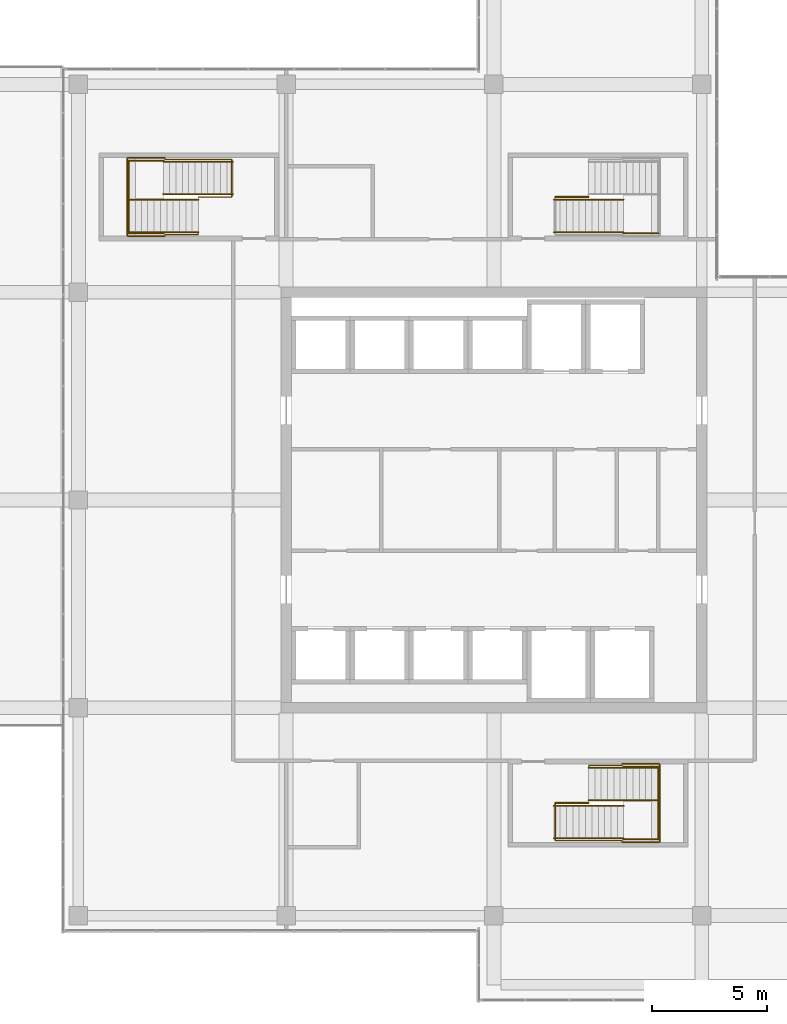
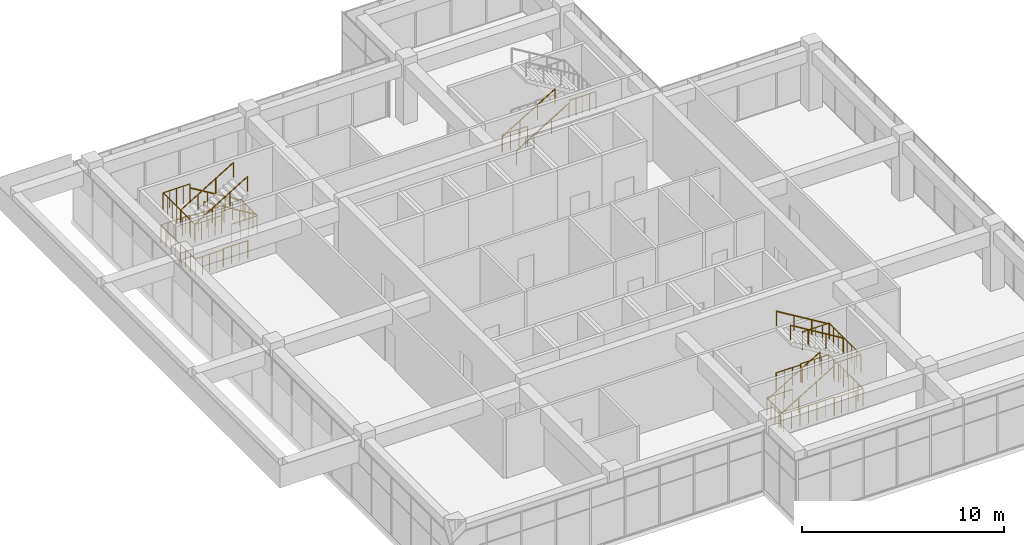
# One storey, part 51 of 52: 22 railings.
"""IFC4 building model written with IfcOpenShell, lengths in metres."""

from ifc_helpers import new_model, si_unit, direction, frame, origin, origin_2d, place, context, subcontext, project, spatial, circle, extrude, material, type_object, element, save


model = new_model("IFC4")

# Units and contexts
model_context = context("Model", 3, precision=1e-05, world=origin(), true_north=direction((0.0, 1.0)))
body_context = subcontext(model_context, "Body", "Model", "MODEL_VIEW")
ifc_project = project(units=[si_unit("LENGTHUNIT", "METRE"), si_unit("AREAUNIT", "SQUARE_METRE"), si_unit("VOLUMEUNIT", "CUBIC_METRE"), si_unit("PLANEANGLEUNIT", "RADIAN"), si_unit("MASSUNIT", "GRAM", prefix="KILO")], contexts=[model_context])

# Site, building, storey
site_placement = place(None, origin())
site = spatial("IfcSite", under=ifc_project, at=site_placement, CompositionType="ELEMENT")
building_placement = place(site_placement, origin())
building = spatial("IfcBuilding", under=site, at=building_placement, Name="Tuart Plaza Theatre", CompositionType="ELEMENT")
storey_placement = place(building_placement, frame((0.0, 0.0, 25.5)))
storey = spatial("IfcBuildingStorey", under=building, at=storey_placement, Name="L06", CompositionType="ELEMENT", Elevation=25.5)

# Railings
ifc_material_1 = material(Name="Steel Grade C350L0", Category="steel")
railing_type_1 = type_object("IfcRailingType", Name="RAILING Guard 1100", PredefinedType="GUARDRAIL", material=ifc_material_1)
railing_1_placement = place(storey_placement, frame((134.655029296875, 60.875, 0.0)))
element("IfcRailing", 1, at=railing_1_placement, inside=storey, type_object=railing_type_1, Name="GR224", PredefinedType="GUARDRAIL", context=body_context, shape_type="SweptSolid", body=[
    extrude(circle(Radius=0.02490234375, at=origin_2d()), frame((0.0, 0.0, 1.0751953125), z_axis=(1.0, 0.0, 0.0), x_axis=(0.0, 1.0, 0.0)), (0.0, 0.0, 1.0), 1.455078125),
    extrude(circle(Radius=0.02001953125, at=origin_2d()), origin(), (0.0, 0.0, 1.0), 1.050048828125),
    extrude(circle(Radius=0.02001953125, at=origin_2d()), frame((0.485107421875, 0.0, 0.0)), (0.0, 0.0, 1.0), 1.050048828125),
    extrude(circle(Radius=0.02001953125, at=origin_2d()), frame((0.969970703125, 0.0, 0.0)), (0.0, 0.0, 1.0), 1.050048828125),
    extrude(circle(Radius=0.02001953125, at=origin_2d()), frame((1.455078125, 0.0, 0.0)), (0.0, 0.0, 1.0), 1.050048828125),
])
railing_2_placement = place(storey_placement, frame((136.114990234375, 62.455078125, 0.0)))
element("IfcRailing", 2, at=railing_2_placement, inside=storey, type_object=railing_type_1, Name="GR225", PredefinedType="GUARDRAIL", context=body_context, shape_type="SweptSolid", body=[
    extrude(circle(Radius=0.02490234375, at=origin_2d()), frame((0.0, 0.0, 1.0751953125), z_axis=(0.0, 1.0, 0.0), x_axis=(-1.0, 0.0, 0.0)), (0.0, 0.0, 1.0), 0.044921875),
    extrude(circle(Radius=0.02490234375, at=origin_2d()), frame((0.0, 0.044921875, 1.0751953125), z_axis=(1.0, 0.0, 0.0), x_axis=(0.0, 1.0, 0.0)), (0.0, 0.0, 1.0), 1.43505859375),
    extrude(circle(Radius=0.02490234375, at=origin_2d()), frame((1.43505859375, 0.044921875, 1.0751953125), z_axis=(0.0, 1.0, 0.0), x_axis=(-1.0, 0.0, 0.0)), (0.0, 0.0, 1.0), 0.074951171875),
    extrude(circle(Radius=0.02490234375, at=origin_2d()), frame((1.43505859375, 0.119873046875, 1.0751953125), z_axis=(1.0, 0.0, 0.0), x_axis=(0.0, 1.0, 0.0)), (0.0, 0.0, 1.0), 1.6298828125),
    extrude(circle(Radius=0.02490234375, at=origin_2d()), frame((3.06494140625, 0.119873046875, 1.0751953125), z_axis=(0.0, -1.0, 0.0), x_axis=(1.0, 0.0, 0.0)), (0.0, 0.0, 1.0), 3.39990234375),
    extrude(circle(Radius=0.02490234375, at=origin_2d()), frame((3.06494140625, -3.280029296875, 1.0751953125), z_axis=(-1.0, 0.0, 0.0), x_axis=(0.0, -1.0, 0.0)), (0.0, 0.0, 1.0), 1.6298828125),
    extrude(circle(Radius=0.02490234375, at=origin_2d()), frame((1.43505859375, -3.280029296875, 1.0751953125), z_axis=(0.0, 1.0, 0.0), x_axis=(-1.0, 0.0, 0.0)), (0.0, 0.0, 1.0), 0.074951171875),
    extrude(circle(Radius=0.02490234375, at=origin_2d()), frame((1.43505859375, -3.205078125, 1.0751953125), z_axis=(-1.0, 0.0, 0.0), x_axis=(0.0, -1.0, 0.0)), (0.0, 0.0, 1.0), 2.89501953125),
    extrude(circle(Radius=0.02490234375, at=origin_2d()), frame((-1.4599609375, -3.205078125, 1.0751953125), z_axis=(0.0, 1.0, 0.0), x_axis=(-1.0, 0.0, 0.0)), (0.0, 0.0, 1.0), 1.625),
    extrude(circle(Radius=0.02001953125, at=origin_2d()), origin(), (0.0, 0.0, 1.0), 1.050048828125),
    extrude(circle(Radius=0.02001953125, at=origin_2d()), frame((0.0, 0.044921875, 0.0)), (0.0, 0.0, 1.0), 1.050048828125),
    extrude(circle(Radius=0.02001953125, at=origin_2d()), frame((0.478271484375, 0.044921875, 0.0)), (0.0, 0.0, 1.0), 1.050048828125),
    extrude(circle(Radius=0.02001953125, at=origin_2d()), frame((0.956787109375, 0.044921875, 0.0)), (0.0, 0.0, 1.0), 1.050048828125),
    extrude(circle(Radius=0.02001953125, at=origin_2d()), frame((1.43505859375, 0.044921875, 0.0)), (0.0, 0.0, 1.0), 1.050048828125),
    extrude(circle(Radius=0.02001953125, at=origin_2d()), frame((1.43505859375, 0.119873046875, 0.0)), (0.0, 0.0, 1.0), 1.050048828125),
    extrude(circle(Radius=0.02001953125, at=origin_2d()), frame((1.842529296875, 0.119873046875, 0.0)), (0.0, 0.0, 1.0), 1.050048828125),
    extrude(circle(Radius=0.02001953125, at=origin_2d()), frame((2.25, 0.119873046875, 0.0)), (0.0, 0.0, 1.0), 1.050048828125),
    extrude(circle(Radius=0.02001953125, at=origin_2d()), frame((2.657470703125, 0.119873046875, 0.0)), (0.0, 0.0, 1.0), 1.050048828125),
    extrude(circle(Radius=0.02001953125, at=origin_2d()), frame((3.06494140625, 0.119873046875, 0.0)), (0.0, 0.0, 1.0), 1.050048828125),
    extrude(circle(Radius=0.02001953125, at=origin_2d()), frame((3.06494140625, -0.36572265625, 0.0)), (0.0, 0.0, 1.0), 1.050048828125),
    extrude(circle(Radius=0.02001953125, at=origin_2d()), frame((3.06494140625, -0.8515625, 0.0)), (0.0, 0.0, 1.0), 1.050048828125),
    extrude(circle(Radius=0.02001953125, at=origin_2d()), frame((3.06494140625, -1.337158203125, 0.0)), (0.0, 0.0, 1.0), 1.050048828125),
    extrude(circle(Radius=0.02001953125, at=origin_2d()), frame((3.06494140625, -1.822998046875, 0.0)), (0.0, 0.0, 1.0), 1.050048828125),
    extrude(circle(Radius=0.02001953125, at=origin_2d()), frame((3.06494140625, -2.30859375, 0.0)), (0.0, 0.0, 1.0), 1.050048828125),
    extrude(circle(Radius=0.02001953125, at=origin_2d()), frame((3.06494140625, -2.79443359375, 0.0)), (0.0, 0.0, 1.0), 1.050048828125),
    extrude(circle(Radius=0.02001953125, at=origin_2d()), frame((3.06494140625, -3.280029296875, 0.0)), (0.0, 0.0, 1.0), 1.050048828125),
    extrude(circle(Radius=0.02001953125, at=origin_2d()), frame((2.657470703125, -3.280029296875, 0.0)), (0.0, 0.0, 1.0), 1.050048828125),
    extrude(circle(Radius=0.02001953125, at=origin_2d()), frame((2.25, -3.280029296875, 0.0)), (0.0, 0.0, 1.0), 1.050048828125),
    extrude(circle(Radius=0.02001953125, at=origin_2d()), frame((1.842529296875, -3.280029296875, 0.0)), (0.0, 0.0, 1.0), 1.050048828125),
    extrude(circle(Radius=0.02001953125, at=origin_2d()), frame((1.43505859375, -3.280029296875, 0.0)), (0.0, 0.0, 1.0), 1.050048828125),
    extrude(circle(Radius=0.02001953125, at=origin_2d()), frame((1.43505859375, -3.205078125, 0.0)), (0.0, 0.0, 1.0), 1.050048828125),
    extrude(circle(Radius=0.02001953125, at=origin_2d()), frame((0.95263671875, -3.205078125, 0.0)), (0.0, 0.0, 1.0), 1.050048828125),
    extrude(circle(Radius=0.02001953125, at=origin_2d()), frame((0.469970703125, -3.205078125, 0.0)), (0.0, 0.0, 1.0), 1.050048828125),
    extrude(circle(Radius=0.02001953125, at=origin_2d()), frame((-0.012451171875, -3.205078125, 0.0)), (0.0, 0.0, 1.0), 1.050048828125),
    extrude(circle(Radius=0.02001953125, at=origin_2d()), frame((-0.494873046875, -3.205078125, 0.0)), (0.0, 0.0, 1.0), 1.050048828125),
    extrude(circle(Radius=0.02001953125, at=origin_2d()), frame((-0.9775390625, -3.205078125, 0.0)), (0.0, 0.0, 1.0), 1.050048828125),
    extrude(circle(Radius=0.02001953125, at=origin_2d()), frame((-1.4599609375, -3.205078125, 0.0)), (0.0, 0.0, 1.0), 1.050048828125),
    extrude(circle(Radius=0.02001953125, at=origin_2d()), frame((-1.4599609375, -2.798828125, 0.0)), (0.0, 0.0, 1.0), 1.050048828125),
    extrude(circle(Radius=0.02001953125, at=origin_2d()), frame((-1.4599609375, -2.392578125, 0.0)), (0.0, 0.0, 1.0), 1.050048828125),
    extrude(circle(Radius=0.02001953125, at=origin_2d()), frame((-1.4599609375, -1.986328125, 0.0)), (0.0, 0.0, 1.0), 1.050048828125),
    extrude(circle(Radius=0.02001953125, at=origin_2d()), frame((-1.4599609375, -1.580078125, 0.0)), (0.0, 0.0, 1.0), 1.050048828125),
])
railing_3_placement = place(storey_placement, frame((137.60009765625, 59.300048828125, 2.0)))
element("IfcRailing", 3, at=railing_3_placement, inside=storey, type_object=railing_type_1, Name="GR231", PredefinedType="GUARDRAIL", context=body_context, shape_type="SweptSolid", body=[
    extrude(circle(Radius=0.02490234375, at=origin_2d()), frame((0.0, 0.0, 1.0751953125), z_axis=(1.0, 0.0, 0.0), x_axis=(0.0, 1.0, 0.0)), (0.0, 0.0, 1.0), 1.52978515625),
    extrude(circle(Radius=0.02001953125, at=origin_2d()), origin(), (0.0, 0.0, 1.0), 1.050048828125),
    extrude(circle(Radius=0.02001953125, at=origin_2d()), frame((0.38232421875, 0.0, 0.0)), (0.0, 0.0, 1.0), 1.050048828125),
    extrude(circle(Radius=0.02001953125, at=origin_2d()), frame((0.764892578125, 0.0, 0.0)), (0.0, 0.0, 1.0), 1.050048828125),
    extrude(circle(Radius=0.02001953125, at=origin_2d()), frame((1.1474609375, 0.0, 0.0)), (0.0, 0.0, 1.0), 1.050048828125),
    extrude(circle(Radius=0.02001953125, at=origin_2d()), frame((1.52978515625, 0.0, 0.0)), (0.0, 0.0, 1.0), 1.050048828125),
])
railing_4_placement = place(storey_placement, frame((139.1298828125, 59.300048828125, 2.0)))
element("IfcRailing", 4, at=railing_4_placement, inside=storey, type_object=railing_type_1, Name="GR232", PredefinedType="GUARDRAIL", context=body_context, shape_type="SweptSolid", body=[
    extrude(circle(Radius=0.02490234375, at=origin_2d()), frame((0.0, 0.0, 1.0751953125), z_axis=(0.0, 1.0, 0.0), x_axis=(-1.0, 0.0, 0.0)), (0.0, 0.0, 1.0), 3.14990234375),
    extrude(circle(Radius=0.02001953125, at=origin_2d()), origin(), (0.0, 0.0, 1.0), 1.050048828125),
    extrude(circle(Radius=0.02001953125, at=origin_2d()), frame((0.0, 0.449951171875, 0.0)), (0.0, 0.0, 1.0), 1.050048828125),
    extrude(circle(Radius=0.02001953125, at=origin_2d()), frame((0.0, 0.89990234375, 0.0)), (0.0, 0.0, 1.0), 1.050048828125),
    extrude(circle(Radius=0.02001953125, at=origin_2d()), frame((0.0, 1.349853515625, 0.0)), (0.0, 0.0, 1.0), 1.050048828125),
    extrude(circle(Radius=0.02001953125, at=origin_2d()), frame((0.0, 1.800048828125, 0.0)), (0.0, 0.0, 1.0), 1.050048828125),
    extrude(circle(Radius=0.02001953125, at=origin_2d()), frame((0.0, 2.25, 0.0)), (0.0, 0.0, 1.0), 1.050048828125),
    extrude(circle(Radius=0.02001953125, at=origin_2d()), frame((0.0, 2.699951171875, 0.0)), (0.0, 0.0, 1.0), 1.050048828125),
    extrude(circle(Radius=0.02001953125, at=origin_2d()), frame((0.0, 3.14990234375, 0.0)), (0.0, 0.0, 1.0), 1.050048828125),
])
railing_5_placement = place(storey_placement, frame((139.1298828125, 62.449951171875, 2.0)))
element("IfcRailing", 5, at=railing_5_placement, inside=storey, type_object=railing_type_1, Name="GR233", PredefinedType="GUARDRAIL", context=body_context, shape_type="SweptSolid", body=[
    extrude(circle(Radius=0.02490234375, at=origin_2d()), frame((0.0, 0.0, 1.0751953125), z_axis=(-1.0, 0.0, 0.0), x_axis=(0.0, -1.0, 0.0)), (0.0, 0.0, 1.0), 1.52978515625),
    extrude(circle(Radius=0.02001953125, at=origin_2d()), origin(), (0.0, 0.0, 1.0), 1.050048828125),
    extrude(circle(Radius=0.02001953125, at=origin_2d()), frame((-0.38232421875, 0.0, 0.0)), (0.0, 0.0, 1.0), 1.050048828125),
    extrude(circle(Radius=0.02001953125, at=origin_2d()), frame((-0.764892578125, 0.0, 0.0)), (0.0, 0.0, 1.0), 1.050048828125),
    extrude(circle(Radius=0.02001953125, at=origin_2d()), frame((-1.1474609375, 0.0, 0.0)), (0.0, 0.0, 1.0), 1.050048828125),
    extrude(circle(Radius=0.02001953125, at=origin_2d()), frame((-1.52978515625, 0.0, 0.0)), (0.0, 0.0, 1.0), 1.050048828125),
])
railing_6_placement = place(storey_placement, frame((134.655029296875, 87.125, 0.0)))
element("IfcRailing", 6, at=railing_6_placement, inside=storey, type_object=railing_type_1, Name="GR303", PredefinedType="GUARDRAIL", context=body_context, shape_type="SweptSolid", body=[
    extrude(circle(Radius=0.02490234375, at=origin_2d()), frame((0.0, 0.0, 1.0751953125), z_axis=(1.0, 0.0, 0.0), x_axis=(0.0, 1.0, 0.0)), (0.0, 0.0, 1.0), 1.455078125),
    extrude(circle(Radius=0.02001953125, at=origin_2d()), origin(), (0.0, 0.0, 1.0), 1.050048828125),
    extrude(circle(Radius=0.02001953125, at=origin_2d()), frame((0.485107421875, 0.0, 0.0)), (0.0, 0.0, 1.0), 1.050048828125),
    extrude(circle(Radius=0.02001953125, at=origin_2d()), frame((0.969970703125, 0.0, 0.0)), (0.0, 0.0, 1.0), 1.050048828125),
    extrude(circle(Radius=0.02001953125, at=origin_2d()), frame((1.455078125, 0.0, 0.0)), (0.0, 0.0, 1.0), 1.050048828125),
])
railing_7_placement = place(storey_placement, frame((137.60009765625, 85.550048828125, 2.0)))
element("IfcRailing", 7, at=railing_7_placement, inside=storey, type_object=railing_type_1, Name="GR310", PredefinedType="GUARDRAIL", context=body_context, shape_type="SweptSolid", body=[
    extrude(circle(Radius=0.02490234375, at=origin_2d()), frame((0.0, 0.0, 1.0751953125), z_axis=(1.0, 0.0, 0.0), x_axis=(0.0, 1.0, 0.0)), (0.0, 0.0, 1.0), 1.52978515625),
    extrude(circle(Radius=0.02001953125, at=origin_2d()), origin(), (0.0, 0.0, 1.0), 1.050048828125),
    extrude(circle(Radius=0.02001953125, at=origin_2d()), frame((0.38232421875, 0.0, 0.0)), (0.0, 0.0, 1.0), 1.050048828125),
    extrude(circle(Radius=0.02001953125, at=origin_2d()), frame((0.764892578125, 0.0, 0.0)), (0.0, 0.0, 1.0), 1.050048828125),
    extrude(circle(Radius=0.02001953125, at=origin_2d()), frame((1.1474609375, 0.0, 0.0)), (0.0, 0.0, 1.0), 1.050048828125),
    extrude(circle(Radius=0.02001953125, at=origin_2d()), frame((1.52978515625, 0.0, 0.0)), (0.0, 0.0, 1.0), 1.050048828125),
])
railing_8_placement = place(storey_placement, frame((120.64501953125, 88.75, 0.0)))
element("IfcRailing", 8, at=railing_8_placement, inside=storey, type_object=railing_type_1, Name="GR382", PredefinedType="GUARDRAIL", context=body_context, shape_type="SweptSolid", body=[
    extrude(circle(Radius=0.02490234375, at=origin_2d()), frame((0.0, 0.0, 1.0751953125), z_axis=(0.0, -1.0, 0.0), x_axis=(1.0, 0.0, 0.0)), (0.0, 0.0, 1.0), 1.625),
    extrude(circle(Radius=0.02490234375, at=origin_2d()), frame((0.0, -1.625, 1.0751953125), z_axis=(-1.0, 0.0, 0.0), x_axis=(0.0, -1.0, 0.0)), (0.0, 0.0, 1.0), 1.455078125),
    extrude(circle(Radius=0.02001953125, at=origin_2d()), origin(), (0.0, 0.0, 1.0), 1.050048828125),
    extrude(circle(Radius=0.02001953125, at=origin_2d()), frame((0.0, -0.40625, 0.0)), (0.0, 0.0, 1.0), 1.050048828125),
    extrude(circle(Radius=0.02001953125, at=origin_2d()), frame((0.0, -0.8125, 0.0)), (0.0, 0.0, 1.0), 1.050048828125),
    extrude(circle(Radius=0.02001953125, at=origin_2d()), frame((0.0, -1.21875, 0.0)), (0.0, 0.0, 1.0), 1.050048828125),
    extrude(circle(Radius=0.02001953125, at=origin_2d()), frame((0.0, -1.625, 0.0)), (0.0, 0.0, 1.0), 1.050048828125),
    extrude(circle(Radius=0.02001953125, at=origin_2d()), frame((-0.485107421875, -1.625, 0.0)), (0.0, 0.0, 1.0), 1.050048828125),
    extrude(circle(Radius=0.02001953125, at=origin_2d()), frame((-0.969970703125, -1.625, 0.0)), (0.0, 0.0, 1.0), 1.050048828125),
    extrude(circle(Radius=0.02001953125, at=origin_2d()), frame((-1.455078125, -1.625, 0.0)), (0.0, 0.0, 1.0), 1.050048828125),
])
railing_9_placement = place(storey_placement, frame((119.18505859375, 85.544921875, 0.0)))
element("IfcRailing", 9, at=railing_9_placement, inside=storey, type_object=railing_type_1, Name="GR383", PredefinedType="GUARDRAIL", context=body_context, shape_type="SweptSolid", body=[
    extrude(circle(Radius=0.02490234375, at=origin_2d()), frame((0.0, 0.0, 1.0751953125), z_axis=(0.0, -1.0, 0.0), x_axis=(1.0, 0.0, 0.0)), (0.0, 0.0, 1.0), 0.044921875),
    extrude(circle(Radius=0.02490234375, at=origin_2d()), frame((0.0, -0.044921875, 1.0751953125), z_axis=(-1.0, 0.0, 0.0), x_axis=(0.0, -1.0, 0.0)), (0.0, 0.0, 1.0), 1.43505859375),
    extrude(circle(Radius=0.02490234375, at=origin_2d()), frame((-1.43505859375, -0.044921875, 1.0751953125), z_axis=(0.0, -1.0, 0.0), x_axis=(1.0, 0.0, 0.0)), (0.0, 0.0, 1.0), 0.074951171875),
    extrude(circle(Radius=0.02490234375, at=origin_2d()), frame((-1.43505859375, -0.119873046875, 1.0751953125), z_axis=(-1.0, 0.0, 0.0), x_axis=(0.0, -1.0, 0.0)), (0.0, 0.0, 1.0), 1.6298828125),
    extrude(circle(Radius=0.02490234375, at=origin_2d()), frame((-3.06494140625, -0.119873046875, 1.0751953125), z_axis=(0.0, 1.0, 0.0), x_axis=(-1.0, 0.0, 0.0)), (0.0, 0.0, 1.0), 3.39990234375),
    extrude(circle(Radius=0.02490234375, at=origin_2d()), frame((-3.06494140625, 3.280029296875, 1.0751953125), z_axis=(1.0, 0.0, 0.0), x_axis=(0.0, 1.0, 0.0)), (0.0, 0.0, 1.0), 1.6298828125),
    extrude(circle(Radius=0.02490234375, at=origin_2d()), frame((-1.43505859375, 3.280029296875, 1.0751953125), z_axis=(0.0, -1.0, 0.0), x_axis=(1.0, 0.0, 0.0)), (0.0, 0.0, 1.0), 0.074951171875),
    extrude(circle(Radius=0.02490234375, at=origin_2d()), frame((-1.43505859375, 3.205078125, 1.0751953125), z_axis=(1.0, 0.0, 0.0), x_axis=(0.0, 1.0, 0.0)), (0.0, 0.0, 1.0), 2.89501953125),
    extrude(circle(Radius=0.02001953125, at=origin_2d()), origin(), (0.0, 0.0, 1.0), 1.050048828125),
    extrude(circle(Radius=0.02001953125, at=origin_2d()), frame((0.0, -0.044921875, 0.0)), (0.0, 0.0, 1.0), 1.050048828125),
    extrude(circle(Radius=0.02001953125, at=origin_2d()), frame((-0.478271484375, -0.044921875, 0.0)), (0.0, 0.0, 1.0), 1.050048828125),
    extrude(circle(Radius=0.02001953125, at=origin_2d()), frame((-0.956787109375, -0.044921875, 0.0)), (0.0, 0.0, 1.0), 1.050048828125),
    extrude(circle(Radius=0.02001953125, at=origin_2d()), frame((-1.43505859375, -0.044921875, 0.0)), (0.0, 0.0, 1.0), 1.050048828125),
    extrude(circle(Radius=0.02001953125, at=origin_2d()), frame((-1.43505859375, -0.119873046875, 0.0)), (0.0, 0.0, 1.0), 1.050048828125),
    extrude(circle(Radius=0.02001953125, at=origin_2d()), frame((-1.842529296875, -0.119873046875, 0.0)), (0.0, 0.0, 1.0), 1.050048828125),
    extrude(circle(Radius=0.02001953125, at=origin_2d()), frame((-2.25, -0.119873046875, 0.0)), (0.0, 0.0, 1.0), 1.050048828125),
    extrude(circle(Radius=0.02001953125, at=origin_2d()), frame((-2.657470703125, -0.119873046875, 0.0)), (0.0, 0.0, 1.0), 1.050048828125),
    extrude(circle(Radius=0.02001953125, at=origin_2d()), frame((-3.06494140625, -0.119873046875, 0.0)), (0.0, 0.0, 1.0), 1.050048828125),
    extrude(circle(Radius=0.02001953125, at=origin_2d()), frame((-3.06494140625, 0.36572265625, 0.0)), (0.0, 0.0, 1.0), 1.050048828125),
    extrude(circle(Radius=0.02001953125, at=origin_2d()), frame((-3.06494140625, 0.8515625, 0.0)), (0.0, 0.0, 1.0), 1.050048828125),
    extrude(circle(Radius=0.02001953125, at=origin_2d()), frame((-3.06494140625, 1.337158203125, 0.0)), (0.0, 0.0, 1.0), 1.050048828125),
    extrude(circle(Radius=0.02001953125, at=origin_2d()), frame((-3.06494140625, 1.822998046875, 0.0)), (0.0, 0.0, 1.0), 1.050048828125),
    extrude(circle(Radius=0.02001953125, at=origin_2d()), frame((-3.06494140625, 2.30859375, 0.0)), (0.0, 0.0, 1.0), 1.050048828125),
    extrude(circle(Radius=0.02001953125, at=origin_2d()), frame((-3.06494140625, 2.79443359375, 0.0)), (0.0, 0.0, 1.0), 1.050048828125),
    extrude(circle(Radius=0.02001953125, at=origin_2d()), frame((-3.06494140625, 3.280029296875, 0.0)), (0.0, 0.0, 1.0), 1.050048828125),
    extrude(circle(Radius=0.02001953125, at=origin_2d()), frame((-2.657470703125, 3.280029296875, 0.0)), (0.0, 0.0, 1.0), 1.050048828125),
    extrude(circle(Radius=0.02001953125, at=origin_2d()), frame((-2.25, 3.280029296875, 0.0)), (0.0, 0.0, 1.0), 1.050048828125),
    extrude(circle(Radius=0.02001953125, at=origin_2d()), frame((-1.842529296875, 3.280029296875, 0.0)), (0.0, 0.0, 1.0), 1.050048828125),
    extrude(circle(Radius=0.02001953125, at=origin_2d()), frame((-1.43505859375, 3.280029296875, 0.0)), (0.0, 0.0, 1.0), 1.050048828125),
    extrude(circle(Radius=0.02001953125, at=origin_2d()), frame((-1.43505859375, 3.205078125, 0.0)), (0.0, 0.0, 1.0), 1.050048828125),
    extrude(circle(Radius=0.02001953125, at=origin_2d()), frame((-0.95263671875, 3.205078125, 0.0)), (0.0, 0.0, 1.0), 1.050048828125),
    extrude(circle(Radius=0.02001953125, at=origin_2d()), frame((-0.469970703125, 3.205078125, 0.0)), (0.0, 0.0, 1.0), 1.050048828125),
    extrude(circle(Radius=0.02001953125, at=origin_2d()), frame((0.012451171875, 3.205078125, 0.0)), (0.0, 0.0, 1.0), 1.050048828125),
    extrude(circle(Radius=0.02001953125, at=origin_2d()), frame((0.494873046875, 3.205078125, 0.0)), (0.0, 0.0, 1.0), 1.050048828125),
    extrude(circle(Radius=0.02001953125, at=origin_2d()), frame((0.9775390625, 3.205078125, 0.0)), (0.0, 0.0, 1.0), 1.050048828125),
    extrude(circle(Radius=0.02001953125, at=origin_2d()), frame((1.4599609375, 3.205078125, 0.0)), (0.0, 0.0, 1.0), 1.050048828125),
])
railing_10_placement = place(storey_placement, frame((117.699951171875, 88.699951171875, 2.0)))
element("IfcRailing", 10, at=railing_10_placement, inside=storey, type_object=railing_type_1, Name="GR389", PredefinedType="GUARDRAIL", context=body_context, shape_type="SweptSolid", body=[
    extrude(circle(Radius=0.02490234375, at=origin_2d()), frame((0.0, 0.0, 1.0751953125), z_axis=(-1.0, 0.0, 0.0), x_axis=(0.0, -1.0, 0.0)), (0.0, 0.0, 1.0), 1.530029296875),
    extrude(circle(Radius=0.02001953125, at=origin_2d()), origin(), (0.0, 0.0, 1.0), 1.050048828125),
    extrude(circle(Radius=0.02001953125, at=origin_2d()), frame((-0.382568359375, 0.0, 0.0)), (0.0, 0.0, 1.0), 1.050048828125),
    extrude(circle(Radius=0.02001953125, at=origin_2d()), frame((-0.76513671875, 0.0, 0.0)), (0.0, 0.0, 1.0), 1.050048828125),
    extrude(circle(Radius=0.02001953125, at=origin_2d()), frame((-1.1474609375, 0.0, 0.0)), (0.0, 0.0, 1.0), 1.050048828125),
    extrude(circle(Radius=0.02001953125, at=origin_2d()), frame((-1.530029296875, 0.0, 0.0)), (0.0, 0.0, 1.0), 1.050048828125),
])
railing_11_placement = place(storey_placement, frame((116.169921875, 88.699951171875, 2.0)))
element("IfcRailing", 11, at=railing_11_placement, inside=storey, type_object=railing_type_1, Name="GR390", PredefinedType="GUARDRAIL", context=body_context, shape_type="SweptSolid", body=[
    extrude(circle(Radius=0.02490234375, at=origin_2d()), frame((0.0, 0.0, 1.0751953125), z_axis=(0.0, -1.0, 0.0), x_axis=(1.0, 0.0, 0.0)), (0.0, 0.0, 1.0), 3.14990234375),
    extrude(circle(Radius=0.02001953125, at=origin_2d()), origin(), (0.0, 0.0, 1.0), 1.050048828125),
    extrude(circle(Radius=0.02001953125, at=origin_2d()), frame((0.0, -0.449951171875, 0.0)), (0.0, 0.0, 1.0), 1.050048828125),
    extrude(circle(Radius=0.02001953125, at=origin_2d()), frame((0.0, -0.89990234375, 0.0)), (0.0, 0.0, 1.0), 1.050048828125),
    extrude(circle(Radius=0.02001953125, at=origin_2d()), frame((0.0, -1.349853515625, 0.0)), (0.0, 0.0, 1.0), 1.050048828125),
    extrude(circle(Radius=0.02001953125, at=origin_2d()), frame((0.0, -1.800048828125, 0.0)), (0.0, 0.0, 1.0), 1.050048828125),
    extrude(circle(Radius=0.02001953125, at=origin_2d()), frame((0.0, -2.25, 0.0)), (0.0, 0.0, 1.0), 1.050048828125),
    extrude(circle(Radius=0.02001953125, at=origin_2d()), frame((0.0, -2.699951171875, 0.0)), (0.0, 0.0, 1.0), 1.050048828125),
    extrude(circle(Radius=0.02001953125, at=origin_2d()), frame((0.0, -3.14990234375, 0.0)), (0.0, 0.0, 1.0), 1.050048828125),
])
railing_12_placement = place(storey_placement, frame((116.169921875, 85.550048828125, 2.0)))
element("IfcRailing", 12, at=railing_12_placement, inside=storey, type_object=railing_type_1, Name="GR391", PredefinedType="GUARDRAIL", context=body_context, shape_type="SweptSolid", body=[
    extrude(circle(Radius=0.02490234375, at=origin_2d()), frame((0.0, 0.0, 1.0751953125), z_axis=(1.0, 0.0, 0.0), x_axis=(0.0, 1.0, 0.0)), (0.0, 0.0, 1.0), 1.530029296875),
    extrude(circle(Radius=0.02001953125, at=origin_2d()), origin(), (0.0, 0.0, 1.0), 1.050048828125),
    extrude(circle(Radius=0.02001953125, at=origin_2d()), frame((0.382568359375, 0.0, 0.0)), (0.0, 0.0, 1.0), 1.050048828125),
    extrude(circle(Radius=0.02001953125, at=origin_2d()), frame((0.76513671875, 0.0, 0.0)), (0.0, 0.0, 1.0), 1.050048828125),
    extrude(circle(Radius=0.02001953125, at=origin_2d()), frame((1.1474609375, 0.0, 0.0)), (0.0, 0.0, 1.0), 1.050048828125),
    extrude(circle(Radius=0.02001953125, at=origin_2d()), frame((1.530029296875, 0.0, 0.0)), (0.0, 0.0, 1.0), 1.050048828125),
])
ifc_material_2 = material(Name="Steel Grade C350L0", Category="steel")
railing_type_2 = type_object("IfcRailingType", Name="RAILING Handrail 900", PredefinedType="HANDRAIL", material=ifc_material_2)
for number, where, name in (
    (13, (134.594970703125, 60.75, 0.166748046875), "HR139"),
    (14, (134.594970703125, 59.35009765625, 0.166748046875), "HR140"),
):
    element("IfcRailing", number, at=place(storey_placement, frame(where)), inside=storey, type_object=railing_type_2, Name=name, PredefinedType="HANDRAIL", context=body_context, shape_type="SweptSolid", body=[
        extrude(circle(Radius=0.0224609375, at=origin_2d()), frame((0.0, 0.0, 0.87744140625), z_axis=(0.855219153138, 0.0, 0.518266533848), x_axis=(0.0, 1.0, 0.0)), (0.0, 0.0, 1.0), 3.537353515625),
        extrude(circle(Radius=0.01513671875, at=origin_2d()), origin(), (0.0, 0.0, 1.0), 0.85498046875),
        extrude(circle(Radius=0.01513671875, at=origin_2d()), frame((1.00830078125, 0.0, 0.611083984375)), (0.0, 0.0, 1.0), 0.85498046875),
        extrude(circle(Radius=0.01513671875, at=origin_2d()), frame((2.016845703125, 0.0, 1.22216796875)), (0.0, 0.0, 1.0), 0.85498046875),
        extrude(circle(Radius=0.01513671875, at=origin_2d()), frame((3.025146484375, 0.0, 1.833251953125)), (0.0, 0.0, 1.0), 0.85498046875),
    ])
for number, where, name in (
    (15, (139.1201171875, 61.0, 2.166748046875), "HR141"),
    (16, (139.1201171875, 62.39990234375, 2.166748046875), "HR142"),
):
    element("IfcRailing", number, at=place(storey_placement, frame(where)), inside=storey, type_object=railing_type_2, Name=name, PredefinedType="HANDRAIL", context=body_context, shape_type="SweptSolid", body=[
        extrude(circle(Radius=0.0224609375, at=origin_2d()), frame((0.0, 0.0, 0.87744140625), z_axis=(-0.855219153138, 0.0, 0.518266533848), x_axis=(0.0, -1.0, 0.0)), (0.0, 0.0, 1.0), 3.537353515625),
        extrude(circle(Radius=0.01513671875, at=origin_2d()), origin(), (0.0, 0.0, 1.0), 0.85498046875),
        extrude(circle(Radius=0.01513671875, at=origin_2d()), frame((-1.00830078125, 0.0, 0.611083984375)), (0.0, 0.0, 1.0), 0.85498046875),
        extrude(circle(Radius=0.01513671875, at=origin_2d()), frame((-2.016845703125, 0.0, 1.22216796875)), (0.0, 0.0, 1.0), 0.85498046875),
        extrude(circle(Radius=0.01513671875, at=origin_2d()), frame((-3.025146484375, 0.0, 1.833251953125)), (0.0, 0.0, 1.0), 0.85498046875),
    ])
for number, where, name in (
    (17, (134.594970703125, 87.0, 0.166748046875), "HR203"),
    (18, (134.594970703125, 85.60009765625, 0.166748046875), "HR204"),
):
    element("IfcRailing", number, at=place(storey_placement, frame(where)), inside=storey, type_object=railing_type_2, Name=name, PredefinedType="HANDRAIL", context=body_context, shape_type="SweptSolid", body=[
        extrude(circle(Radius=0.0224609375, at=origin_2d()), frame((0.0, 0.0, 0.87744140625), z_axis=(0.855219153138, 0.0, 0.518266533848), x_axis=(0.0, 1.0, 0.0)), (0.0, 0.0, 1.0), 3.537353515625),
        extrude(circle(Radius=0.01513671875, at=origin_2d()), origin(), (0.0, 0.0, 1.0), 0.85498046875),
        extrude(circle(Radius=0.01513671875, at=origin_2d()), frame((1.00830078125, 0.0, 0.611083984375)), (0.0, 0.0, 1.0), 0.85498046875),
        extrude(circle(Radius=0.01513671875, at=origin_2d()), frame((2.016845703125, 0.0, 1.22216796875)), (0.0, 0.0, 1.0), 0.85498046875),
        extrude(circle(Radius=0.01513671875, at=origin_2d()), frame((3.025146484375, 0.0, 1.833251953125)), (0.0, 0.0, 1.0), 0.85498046875),
    ])
for number, where, name in (
    (19, (120.705078125, 87.25, 0.166748046875), "HR267"),
    (20, (120.705078125, 88.64990234375, 0.166748046875), "HR268"),
):
    element("IfcRailing", number, at=place(storey_placement, frame(where)), inside=storey, type_object=railing_type_2, Name=name, PredefinedType="HANDRAIL", context=body_context, shape_type="SweptSolid", body=[
        extrude(circle(Radius=0.0224609375, at=origin_2d()), frame((0.0, 0.0, 0.87744140625), z_axis=(-0.855219153138, 0.0, 0.518266533848), x_axis=(0.0, -1.0, 0.0)), (0.0, 0.0, 1.0), 3.537353515625),
        extrude(circle(Radius=0.01513671875, at=origin_2d()), origin(), (0.0, 0.0, 1.0), 0.85498046875),
        extrude(circle(Radius=0.01513671875, at=origin_2d()), frame((-1.00830078125, 0.0, 0.611083984375)), (0.0, 0.0, 1.0), 0.85498046875),
        extrude(circle(Radius=0.01513671875, at=origin_2d()), frame((-2.016845703125, 0.0, 1.22216796875)), (0.0, 0.0, 1.0), 0.85498046875),
        extrude(circle(Radius=0.01513671875, at=origin_2d()), frame((-3.025146484375, 0.0, 1.833251953125)), (0.0, 0.0, 1.0), 0.85498046875),
    ])
for number, where, name in (
    (21, (116.179931640625, 87.0, 2.166748046875), "HR269"),
    (22, (116.179931640625, 85.60009765625, 2.166748046875), "HR270"),
):
    element("IfcRailing", number, at=place(storey_placement, frame(where)), inside=storey, type_object=railing_type_2, Name=name, PredefinedType="HANDRAIL", context=body_context, shape_type="SweptSolid", body=[
        extrude(circle(Radius=0.0224609375, at=origin_2d()), frame((0.0, 0.0, 0.87744140625), z_axis=(0.855219153138, 0.0, 0.518266533848), x_axis=(0.0, 1.0, 0.0)), (0.0, 0.0, 1.0), 3.537353515625),
        extrude(circle(Radius=0.01513671875, at=origin_2d()), origin(), (0.0, 0.0, 1.0), 0.85498046875),
        extrude(circle(Radius=0.01513671875, at=origin_2d()), frame((1.00830078125, 0.0, 0.611083984375)), (0.0, 0.0, 1.0), 0.85498046875),
        extrude(circle(Radius=0.01513671875, at=origin_2d()), frame((2.016845703125, 0.0, 1.22216796875)), (0.0, 0.0, 1.0), 0.85498046875),
        extrude(circle(Radius=0.01513671875, at=origin_2d()), frame((3.025146484375, 0.0, 1.833251953125)), (0.0, 0.0, 1.0), 0.85498046875),
    ])

save(model, "model.ifc")
